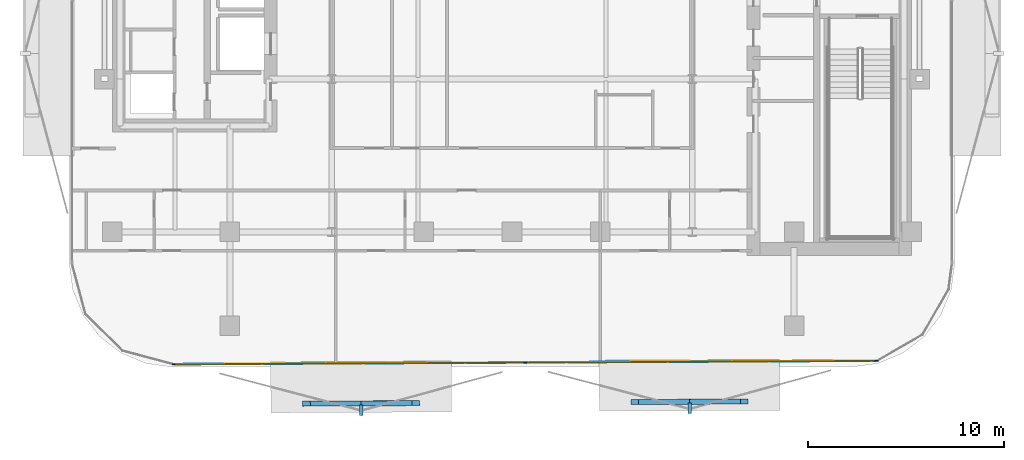
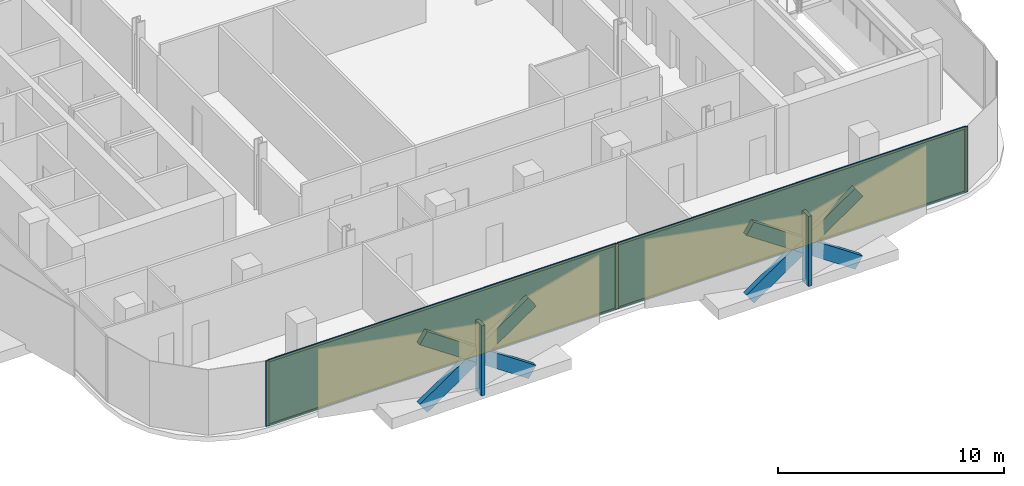
# One storey, part 9 of 17: 13 members, 2 plates, 1 curtain wall.
"""IFC4 building model written with IfcOpenShell, lengths in metres."""

from ifc_helpers import new_model, si_unit, direction, frame, frame_2d, origin, origin_2d, place, context, subcontext, project, spatial, rectangle, extrude, material, layer, layer_set, material_profile, profile_set, type_object, element, aggregate, save


model = new_model("IFC4")

# Units and contexts
model_context = context("Model", 3, precision=1e-05, world=origin(), true_north=direction((0.0, 1.0)))
body_context = subcontext(model_context, "Body", "Model", "MODEL_VIEW")
ifc_project = project(units=[si_unit("LENGTHUNIT", "METRE"), si_unit("AREAUNIT", "SQUARE_METRE"), si_unit("VOLUMEUNIT", "CUBIC_METRE"), si_unit("PLANEANGLEUNIT", "RADIAN"), si_unit("MASSUNIT", "GRAM", prefix="KILO")], contexts=[model_context])

# Member
ifc_material_1 = material(Name="Anodised Bronze Aluminium 6063-T6", Category="aluminium")
ifc_material_profile_1 = material_profile(ifc_material_1, rectangle(XDim=0.260009765625, YDim=0.699951171875, at=origin_2d()))
ifc_profile_set_1 = profile_set([ifc_material_profile_1], Name="Anodised Bronze Aluminium 6063-T6")
member_type_1 = type_object("IfcMemberType", Name="Bronze Diamond Solar-Screen Lattice Rib BDL-700", PredefinedType="MULLION", material=ifc_profile_set_1)
site_placement = place(None, origin())
building_placement = place(site_placement, origin())
storey_placement = place(building_placement, frame((0.0, 0.0, 199.199951171875)))
member_1_placement = place(storey_placement, frame((11.857666015625, -27.25634765625, -0.1298828125), z_axis=(-0.826888697943, -0.004082598107, 0.562350792305), x_axis=(-0.00768530149, 0.999962302626, -0.00404097366)))
member_1 = element("IfcMember", 1, at=member_1_placement, type_object=member_type_1, Name="L46 Bronze Diamond Solar Screen Lattice Rib 305A", PredefinedType="MULLION", context=body_context, shape_type="SweptSolid", body=[
    extrude(rectangle(XDim=0.260009765625, YDim=0.699951171875, at=origin_2d()), origin(), (0.0, 0.0, 1.0), 6.75732421875),
])

member_2_placement = place(storey_placement, frame((6.27001953125, -27.283935546875, -0.1298828125), z_axis=(0.826888697943, 0.004082598107, 0.562350792305), x_axis=(0.00768530149, -0.999962302626, -0.00404097366)))
member_2 = element("IfcMember", 2, at=member_2_placement, type_object=member_type_1, Name="L46 Bronze Diamond Solar Screen Lattice Rib 305B", PredefinedType="MULLION", context=body_context, shape_type="SweptSolid", body=[
    extrude(rectangle(XDim=0.260009765625, YDim=0.699951171875, at=origin_2d()), origin(), (0.0, 0.0, 1.0), 6.75732421875),
])

member_3_placement = place(storey_placement, frame((-4.905517578125, -27.339111328125, -0.1298828125), z_axis=(-0.826888819371, -0.004046469514, 0.562350874885), x_axis=(-0.007641611663, 0.999962637455, -0.004040973385)))
member_3 = element("IfcMember", 3, at=member_3_placement, type_object=member_type_1, Name="L46 Bronze Diamond Solar Screen Lattice Rib 306A", PredefinedType="MULLION", context=body_context, shape_type="SweptSolid", body=[
    extrude(rectangle(XDim=0.260009765625, YDim=0.699951171875, at=origin_2d()), origin(), (0.0, 0.0, 1.0), 6.75732421875),
])

member_4_placement = place(storey_placement, frame((-10.4931640625, -27.366455078125, -0.1298828125), z_axis=(0.826888819371, 0.004046469514, 0.562350874885), x_axis=(0.007641611663, -0.999962637455, -0.004040973385)))
member_4 = element("IfcMember", 4, at=member_4_placement, type_object=member_type_1, Name="L46 Bronze Diamond Solar Screen Lattice Rib 306B", PredefinedType="MULLION", context=body_context, shape_type="SweptSolid", body=[
    extrude(rectangle(XDim=0.260009765625, YDim=0.699951171875, at=origin_2d()), origin(), (0.0, 0.0, 1.0), 6.75732421875),
])

ifc_material_2 = material(Name="Anodised Bronze Aluminium 6063-T6", Category="aluminium")
ifc_material_profile_2 = material_profile(ifc_material_2, rectangle(XDim=0.179931640625, YDim=0.5400390625, at=origin_2d()))
ifc_profile_set_2 = profile_set([ifc_material_profile_2], Name="Anodised Bronze Aluminium 6063-T6")
member_type_2 = type_object("IfcMemberType", Name="Bronze Solar-Screen Vertical Fold Fin BSF-540", PredefinedType="MULLION", material=ifc_profile_set_2)
member_5_placement = place(storey_placement, frame((9.0654296875, -27.610107421875, -0.1298828125), z_axis=(0.0, 0.0, 1.0), x_axis=(-0.999988059021, -0.004886902454, 0.0)))
member_5 = element("IfcMember", 5, at=member_5_placement, type_object=member_type_2, Name="L46 Bronze Solar Screen Vertical Fin 305", PredefinedType="MULLION", context=body_context, shape_type="SweptSolid", body=[
    extrude(rectangle(XDim=0.179931640625, YDim=0.5400390625, at=origin_2d()), origin(), (0.0, 0.0, 1.0), 3.800048828125),
])

member_6_placement = place(storey_placement, frame((-7.697509765625, -27.69287109375, -0.1298828125), z_axis=(0.0, 0.0, 1.0), x_axis=(-0.999988059021, -0.004886902454, 0.0)))
member_6 = element("IfcMember", 6, at=member_6_placement, type_object=member_type_2, Name="L46 Bronze Solar Screen Vertical Fin 306", PredefinedType="MULLION", context=body_context, shape_type="SweptSolid", body=[
    extrude(rectangle(XDim=0.179931640625, YDim=0.5400390625, at=origin_2d()), origin(), (0.0, 0.0, 1.0), 3.800048828125),
])

ifc_material_3 = material(Name="Anodised Bronze Aluminium 6063-T6", Category="aluminium")
ifc_material_profile_3 = material_profile(ifc_material_3, rectangle(XDim=0.06005859375, YDim=0.1650390625, at=origin_2d()))
ifc_profile_set_3 = profile_set([ifc_material_profile_3], Name="Anodised Bronze Aluminium 6063-T6")
member_type_3 = type_object("IfcMemberType", Name="CW-Z3 Mullion 60x165", PredefinedType="MULLION", material=ifc_profile_set_3)
member_7_placement = place(storey_placement, frame((18.605224609375, -25.18310546875, 0.0), z_axis=(0.0, 0.0, 1.0), x_axis=(0.004926734175, -0.999987863572, 0.0)))
member_7 = element("IfcMember", 7, at=member_7_placement, type_object=member_type_3, Name="CW-Z3 mullion 1", PredefinedType="MULLION", context=body_context, shape_type="SweptSolid", body=[
    extrude(rectangle(XDim=0.06005859375, YDim=0.1650390625, at=origin_2d()), origin(), (0.0, 0.0, 1.0), 3.5400390625),
])

member_8_placement = place(storey_placement, frame((0.672119140625, -25.271484375, 0.0), z_axis=(0.0, 0.0, 1.0), x_axis=(0.004926734175, -0.999987863572, 0.0)))
member_8 = element("IfcMember", 8, at=member_8_placement, type_object=member_type_3, Name="CW-Z3 mullion 2", PredefinedType="MULLION", context=body_context, shape_type="SweptSolid", body=[
    extrude(rectangle(XDim=0.06005859375, YDim=0.1650390625, at=origin_2d()), origin(), (0.0, 0.0, 1.0), 3.5400390625),
])

member_9_placement = place(storey_placement, frame((-17.2607421875, -25.35986328125, 0.0), z_axis=(0.0, 0.0, 1.0), x_axis=(0.004926734175, -0.999987863572, 0.0)))
member_9 = element("IfcMember", 9, at=member_9_placement, type_object=member_type_3, Name="CW-Z3 mullion 3", PredefinedType="MULLION", context=body_context, shape_type="SweptSolid", body=[
    extrude(rectangle(XDim=0.06005859375, YDim=0.1650390625, at=origin_2d()), origin(), (0.0, 0.0, 1.0), 3.5400390625),
])

ifc_material_4 = material(Name="Anodised Bronze Aluminium 6063-T6", Category="aluminium")
ifc_material_profile_4 = material_profile(ifc_material_4, rectangle(XDim=0.06005859375, YDim=0.1298828125, at=origin_2d()))
ifc_profile_set_4 = profile_set([ifc_material_profile_4], Name="Anodised Bronze Aluminium 6063-T6")
member_type_4 = type_object("IfcMemberType", Name="CW-Z3 Transom 60x130", PredefinedType="USERDEFINED", material=ifc_profile_set_4)
member_10_placement = place(storey_placement, frame((18.5751953125, -25.183349609375, 0.030029296875), z_axis=(-0.999987909339, -0.0049174359, 0.0), x_axis=(0.0049174359, -0.999987909339, 0.0)))
member_10 = element("IfcMember", 10, at=member_10_placement, type_object=member_type_4, Name="CW-Z3 transom 1.1", ObjectType="TRANSOM", PredefinedType="USERDEFINED", context=body_context, shape_type="SweptSolid", body=[
    extrude(rectangle(XDim=0.06005859375, YDim=0.1298828125, at=origin_2d()), origin(), (0.0, 0.0, 1.0), 17.873291015625),
])

member_11_placement = place(storey_placement, frame((18.5751953125, -25.183349609375, 3.510009765625), z_axis=(-0.999987909339, -0.0049174359, 0.0), x_axis=(0.0049174359, -0.999987909339, 0.0)))
member_11 = element("IfcMember", 11, at=member_11_placement, type_object=member_type_4, Name="CW-Z3 transom 1.2", ObjectType="TRANSOM", PredefinedType="USERDEFINED", context=body_context, shape_type="SweptSolid", body=[
    extrude(rectangle(XDim=0.06005859375, YDim=0.1298828125, at=origin_2d()), origin(), (0.0, 0.0, 1.0), 17.873291015625),
])

member_12_placement = place(storey_placement, frame((0.64208984375, -25.271728515625, 0.030029296875), z_axis=(-0.999987909009, -0.00491750307, 0.0), x_axis=(0.00491750307, -0.999987909009, 0.0)))
member_12 = element("IfcMember", 12, at=member_12_placement, type_object=member_type_4, Name="CW-Z3 transom 2.1", ObjectType="TRANSOM", PredefinedType="USERDEFINED", context=body_context, shape_type="SweptSolid", body=[
    extrude(rectangle(XDim=0.06005859375, YDim=0.1298828125, at=origin_2d()), origin(), (0.0, 0.0, 1.0), 17.873046875),
])

member_13_placement = place(storey_placement, frame((0.64208984375, -25.271728515625, 3.510009765625), z_axis=(-0.999987909009, -0.00491750307, 0.0), x_axis=(0.00491750307, -0.999987909009, 0.0)))
member_13 = element("IfcMember", 13, at=member_13_placement, type_object=member_type_4, Name="CW-Z3 transom 2.2", ObjectType="TRANSOM", PredefinedType="USERDEFINED", context=body_context, shape_type="SweptSolid", body=[
    extrude(rectangle(XDim=0.06005859375, YDim=0.1298828125, at=origin_2d()), origin(), (0.0, 0.0, 1.0), 17.873046875),
])

# Plate
ifc_material_5 = material(Name="Low-E Solar Control Laminated Glass", Category="glass")
ifc_layer_1 = layer(ifc_material_5, 0.030029296875, Name="Low-E Solar Control Laminated Glass")
ifc_layer_set_1 = layer_set([ifc_layer_1], Name="Low-E Solar Control Laminated Glass")
plate_type = type_object("IfcPlateType", Name="CW-Z3 Low-E Double Glazed Panel 30mm", PredefinedType="CURTAIN_PANEL", material=ifc_layer_set_1)
plate_1_placement = place(storey_placement, frame((9.638671875, -25.227294921875, 0.06005859375), z_axis=(0.0, 0.0, 1.0), x_axis=(-0.999987863572, -0.004926734175, 0.0)))
plate_1 = element("IfcPlate", 14, at=plate_1_placement, type_object=plate_type, Name="CW-Z3 panel 1.1", PredefinedType="CURTAIN_PANEL", context=body_context, shape_type="SweptSolid", body=[
    extrude(rectangle(XDim=17.873291015625, YDim=0.030029296875, at=origin_2d()), origin(), (0.0, 0.0, 1.0), 3.419921875),
])

plate_2_placement = place(storey_placement, frame((-8.294189453125, -25.315673828125, 0.06005859375), z_axis=(0.0, 0.0, 1.0), x_axis=(-0.999987863572, -0.004926734175, 0.0)))
plate_2 = element("IfcPlate", 15, at=plate_2_placement, type_object=plate_type, Name="CW-Z3 panel 2.1", PredefinedType="CURTAIN_PANEL", context=body_context, shape_type="SweptSolid", body=[
    extrude(rectangle(XDim=17.873291015625, YDim=0.030029296875, at=origin_2d()), origin(), (0.0, 0.0, 1.0), 3.419921875),
])

# Site, building, storey
site = spatial("IfcSite", under=ifc_project, at=site_placement, CompositionType="ELEMENT")
building = spatial("IfcBuilding", under=site, at=building_placement, Name="Khairoan Windgate Tower", CompositionType="ELEMENT")
storey = spatial("IfcBuildingStorey", under=building, at=storey_placement, Name="L46", CompositionType="ELEMENT", Elevation=199.199951171875)

# Curtain wall
ifc_material_6 = material(Name="Anodised Bronze Aluminium 6063-T6", Category="aluminium")
ifc_layer_2 = layer(ifc_material_6, 0.1650390625, Name="Anodised Bronze Aluminium 6063-T6")
ifc_layer_set_2 = layer_set([ifc_layer_2], Name="Anodised Bronze Aluminium 6063-T6")
curtain_wall_type = type_object("IfcCurtainWallType", Name="Luxury Hotel Acoustic Curtain Wall CW-Z3", PredefinedType="NOTDEFINED", material=ifc_layer_set_2)
curtain_wall_placement = place(storey_placement, frame((18.63525390625, -25.18310546875, 0.0), z_axis=(0.0, 0.0, 1.0), x_axis=(-0.999987863321, -0.004926785053, 0.0)))
curtain_wall = element("IfcCurtainWall", 16, at=curtain_wall_placement, inside=storey, type_object=curtain_wall_type, Name="L46 Unitised Curtain Wall 1", PredefinedType="NOTDEFINED", context=body_context, shape_type="SweptSolid", body=[
    extrude(rectangle(XDim=35.926513671875, YDim=0.010009765625, at=frame_2d((17.96337890625, 0.0))), origin(), (0.0, 0.0, 1.0), 3.5400390625),
])

aggregate(curtain_wall, [member_7, member_8, member_9, member_10, member_11, plate_1, member_12, member_13, plate_2, member_1, member_2, member_5, member_3, member_4, member_6])

save(model, "model.ifc")
